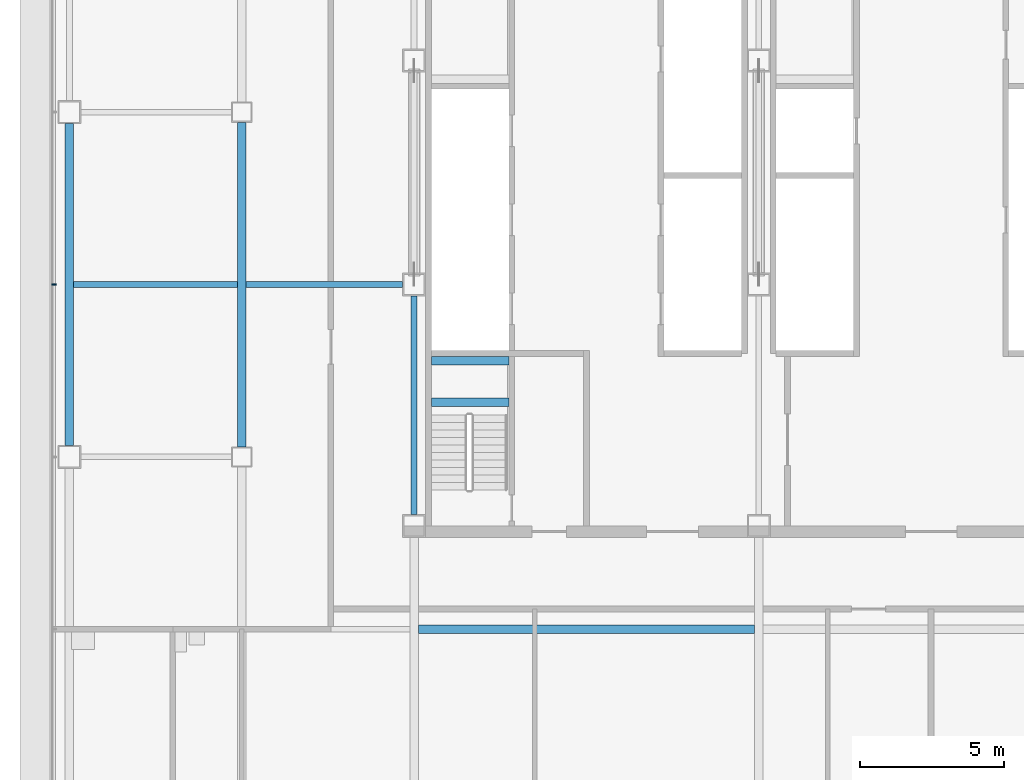
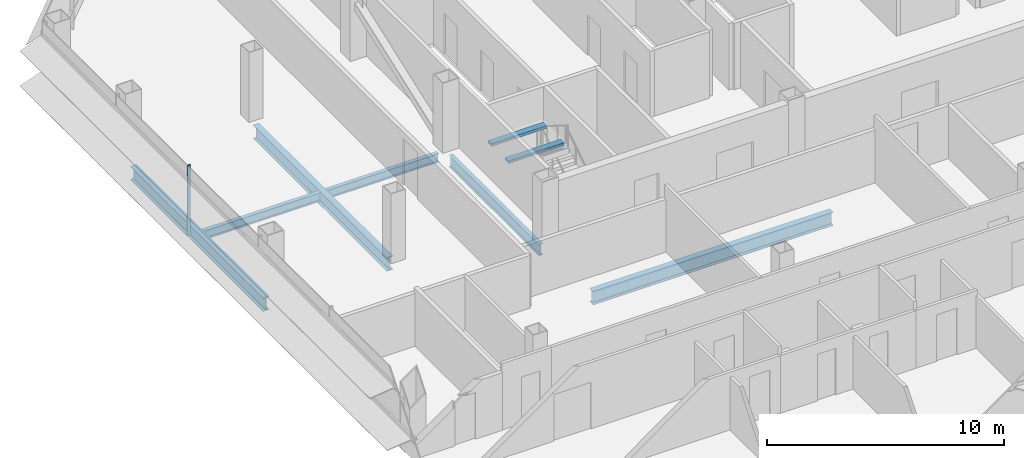
# One storey, part 6 of 26: 8 beams, 1 member, 1 element without a shape of its own.
"""IFC4 building model written with IfcOpenShell, lengths in metres."""

from ifc_helpers import new_model, si_unit, direction, frame, origin, origin_2d, place, context, subcontext, project, spatial, rectangle, i_section, extrude, material, material_profile, profile_set, type_object, element, aggregate, save


model = new_model("IFC4")

# Units and contexts
model_context = context("Model", 3, precision=1e-05, world=origin(), true_north=direction((0.0, 1.0)))
body_context = subcontext(model_context, "Body", "Model", "MODEL_VIEW")
ifc_project = project(units=[si_unit("LENGTHUNIT", "METRE"), si_unit("AREAUNIT", "SQUARE_METRE"), si_unit("VOLUMEUNIT", "CUBIC_METRE"), si_unit("PLANEANGLEUNIT", "RADIAN"), si_unit("MASSUNIT", "GRAM", prefix="KILO")], contexts=[model_context])

# Site, building, storey
site_placement = place(None, origin())
site = spatial("IfcSite", under=ifc_project, at=site_placement, CompositionType="ELEMENT")
building_placement = place(site_placement, origin())
building = spatial("IfcBuilding", under=site, at=building_placement, Name="Sorahane Residences", CompositionType="ELEMENT")
storey_placement = place(building_placement, frame((0.0, 0.0, 103.39990234375)))
storey = spatial("IfcBuildingStorey", under=building, at=storey_placement, Name="L22", CompositionType="ELEMENT", Elevation=103.39990234375)

# Curtain wall, member
ifc_material_1 = material(Name="Dark low-e glass and black anodised aluminium", Category="aluminium")
curtain_wall_type = type_object("IfcCurtainWallType", Name="Curtain wall CW-1 Typical unitised wall", PredefinedType="NOTDEFINED", material=ifc_material_1)
curtain_wall_placement = place(storey_placement, origin())
curtain_wall = element("IfcCurtainWall", 1, at=curtain_wall_placement, inside=storey, type_object=curtain_wall_type, Name="CW-1 curtain wall L22 W2", PredefinedType="NOTDEFINED")
ifc_material_2 = material(Name="Black anodised aluminium", Category="aluminium")
ifc_material_profile_1 = material_profile(ifc_material_2, rectangle(XDim=0.159912109375, YDim=0.050048828125, at=origin_2d()), Name="Curtain wall mullion CW-1 black anodised aluminium 50x160")
ifc_profile_set_1 = profile_set([ifc_material_profile_1], Name="Black anodised aluminium")
member_type = type_object("IfcMemberType", Name="Curtain wall mullion CW-1 black anodised aluminium 50x160", PredefinedType="MULLION", material=ifc_profile_set_1)
member_placement = place(storey_placement, frame((-6.5400390625, 30.0, -0.179931640625), z_axis=(0.0, 0.0, 1.0), x_axis=(-1.0, 0.0, 0.0)))
member = element("IfcMember", 2, at=member_placement, type_object=member_type, Name="CW-1 mullion L22 W2.3", PredefinedType="MULLION", context=body_context, shape_type="SweptSolid", body=[
    extrude(rectangle(XDim=0.159912109375, YDim=0.050048828125, at=origin_2d()), origin(), (0.0, 0.0, 1.0), 3.60009765625),
])
aggregate(curtain_wall, [member])

# Beams
ifc_material_3 = material(Name="Concrete C40", Category="concrete")
ifc_material_profile_2 = material_profile(ifc_material_3, rectangle(XDim=0.300048828125, YDim=0.139892578125, at=origin_2d()), Name="300x140")
ifc_profile_set_2 = profile_set([ifc_material_profile_2], Name="Concrete C40")
beam_type_1 = type_object("IfcBeamType", Name="RC landing beam 300 x 140 Concrete C40", PredefinedType="BEAM", material=ifc_profile_set_2)
for number, where, z_axis, x_axis, name in (
    (3, (6.60009765625, 25.89990234375, 1.530029296875), (1.0, 0.0, 0.0), (0.0, 1.0, 0.0), "Landing beam"),
    (4, (6.60009765625, 27.35009765625, 1.530029296875), (1.0, 0.0, 0.0), (0.0, 1.0, 0.0), "Landing beam"),
):
    element("IfcBeam", number, at=place(storey_placement, frame(where, z_axis=z_axis, x_axis=x_axis)), inside=storey, type_object=beam_type_1, Name=name, PredefinedType="BEAM", context=body_context, shape_type="SweptSolid", body=[
        extrude(rectangle(XDim=0.300048828125, YDim=0.139892578125, at=origin_2d()), origin(), (0.0, 0.0, 1.0), 2.699951171875),
    ])
ifc_material_4 = material(Name="Steel Q355B", Category="steel")
ifc_material_profile_3 = material_profile(ifc_material_4, i_section(OverallWidth=0.199951171875, OverallDepth=0.449951171875, WebThickness=0.009033203125, FlangeThickness=0.013916015625, FilletRadius=0.02001953125, at=origin_2d()), Name="HN 450x200x9x14")
ifc_profile_set_3 = profile_set([ifc_material_profile_3], Name="Steel Q355B")
beam_type_2 = type_object("IfcBeamType", Name="Steel floor beam HN 450x200x9x14 Q355B", PredefinedType="BEAM", material=ifc_profile_set_3)
beam_1_placement = place(storey_placement, frame((-5.85009765625, 30.0, -0.40478515625), z_axis=(1.0, 0.0, 0.0), x_axis=(0.0, 1.0, 0.0)))
element("IfcBeam", 5, at=beam_1_placement, inside=storey, type_object=beam_type_2, Name="Beam L22 080", PredefinedType="BEAM", context=body_context, shape_type="SweptSolid", body=[
    extrude(i_section(OverallWidth=0.199951171875, OverallDepth=0.449951171875, WebThickness=0.009033203125, FlangeThickness=0.013916015625, FilletRadius=0.02001953125, at=origin_2d()), origin(), (0.0, 0.0, 1.0), 5.7001953125),
])
beam_2_placement = place(storey_placement, frame((0.14990234375, 30.0, -0.40478515625), z_axis=(1.0, 0.0, 0.0), x_axis=(0.0, 1.0, 0.0)))
element("IfcBeam", 6, at=beam_2_placement, inside=storey, type_object=beam_type_2, Name="Beam L22 081", PredefinedType="BEAM", context=body_context, shape_type="SweptSolid", body=[
    extrude(i_section(OverallWidth=0.199951171875, OverallDepth=0.449951171875, WebThickness=0.009033203125, FlangeThickness=0.013916015625, FilletRadius=0.02001953125, at=origin_2d()), origin(), (0.0, 0.0, 1.0), 5.4501953125),
])
ifc_material_5 = material(Name="Steel Q355B", Category="steel")
ifc_material_profile_4 = material_profile(ifc_material_5, i_section(OverallWidth=0.199951171875, OverallDepth=0.60009765625, WebThickness=0.010986328125, FlangeThickness=0.01708984375, FilletRadius=0.02392578125, at=origin_2d()), Name="HN 600x200x11x17")
ifc_profile_set_4 = profile_set([ifc_material_profile_4], Name="Steel Q355B")
beam_type_3 = type_object("IfcBeamType", Name="Steel floor beam HN 600x200x11x17 Q355B", PredefinedType="BEAM", material=ifc_profile_set_4)
beam_3_placement = place(storey_placement, frame((6.0, 22.0, -0.47998046875), z_axis=(0.0, 1.0, 0.0), x_axis=(-1.0, 0.0, 0.0)))
element("IfcBeam", 7, at=beam_3_placement, inside=storey, type_object=beam_type_3, Name="Beam L22 029", PredefinedType="BEAM", context=body_context, shape_type="SweptSolid", body=[
    extrude(i_section(OverallWidth=0.199951171875, OverallDepth=0.60009765625, WebThickness=0.010986328125, FlangeThickness=0.01708984375, FilletRadius=0.02392578125, at=origin_2d()), origin(), (0.0, 0.0, 1.0), 7.60009765625),
])
ifc_material_6 = material(Name="Steel Q355B", Category="steel")
ifc_material_profile_5 = material_profile(ifc_material_6, i_section(OverallWidth=0.300048828125, OverallDepth=0.699951171875, WebThickness=0.012939453125, FlangeThickness=0.02392578125, FilletRadius=0.028076171875, at=origin_2d()), Name="HN 700x300x13x24")
ifc_profile_set_5 = profile_set([ifc_material_profile_5], Name="Steel Q355B")
beam_type_4 = type_object("IfcBeamType", Name="Steel floor beam HN 700x300x13x24 Q355B", PredefinedType="BEAM", material=ifc_profile_set_5)
beam_4_placement = place(storey_placement, frame((-6.0, 24.39990234375, -0.52978515625), z_axis=(0.0, 1.0, 0.0), x_axis=(-1.0, 0.0, 0.0)))
element("IfcBeam", 8, at=beam_4_placement, inside=storey, type_object=beam_type_4, Name="Beam L22 021", PredefinedType="BEAM", context=body_context, shape_type="SweptSolid", body=[
    extrude(i_section(OverallWidth=0.300048828125, OverallDepth=0.699951171875, WebThickness=0.012939453125, FlangeThickness=0.02392578125, FilletRadius=0.028076171875, at=origin_2d()), origin(), (0.0, 0.0, 1.0), 11.2001953125),
])
beam_5_placement = place(storey_placement, frame((0.0, 24.35009765625, -0.52978515625), z_axis=(0.0, 1.0, 0.0), x_axis=(-1.0, 0.0, 0.0)))
element("IfcBeam", 9, at=beam_5_placement, inside=storey, type_object=beam_type_4, Name="Beam L22 025", PredefinedType="BEAM", context=body_context, shape_type="SweptSolid", body=[
    extrude(i_section(OverallWidth=0.300048828125, OverallDepth=0.699951171875, WebThickness=0.012939453125, FlangeThickness=0.02392578125, FilletRadius=0.028076171875, at=origin_2d()), origin(), (0.0, 0.0, 1.0), 11.2998046875),
])
beam_6_placement = place(storey_placement, frame((6.14990234375, 18.0, -0.52978515625), z_axis=(1.0, 0.0, 0.0), x_axis=(0.0, 1.0, 0.0)))
element("IfcBeam", 10, at=beam_6_placement, inside=storey, type_object=beam_type_4, Name="Beam L22 075", PredefinedType="BEAM", context=body_context, shape_type="SweptSolid", body=[
    extrude(i_section(OverallWidth=0.300048828125, OverallDepth=0.699951171875, WebThickness=0.012939453125, FlangeThickness=0.02392578125, FilletRadius=0.028076171875, at=origin_2d()), origin(), (0.0, 0.0, 1.0), 11.7001953125),
])

save(model, "model.ifc")
